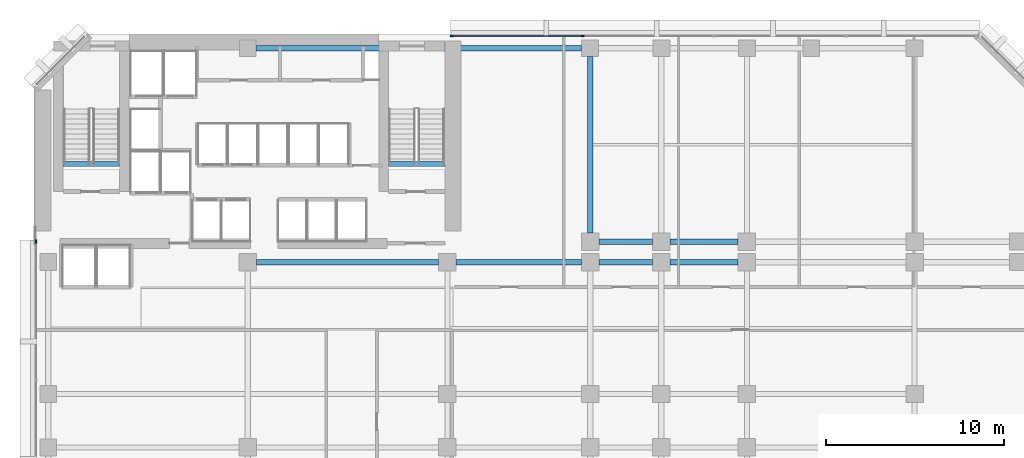
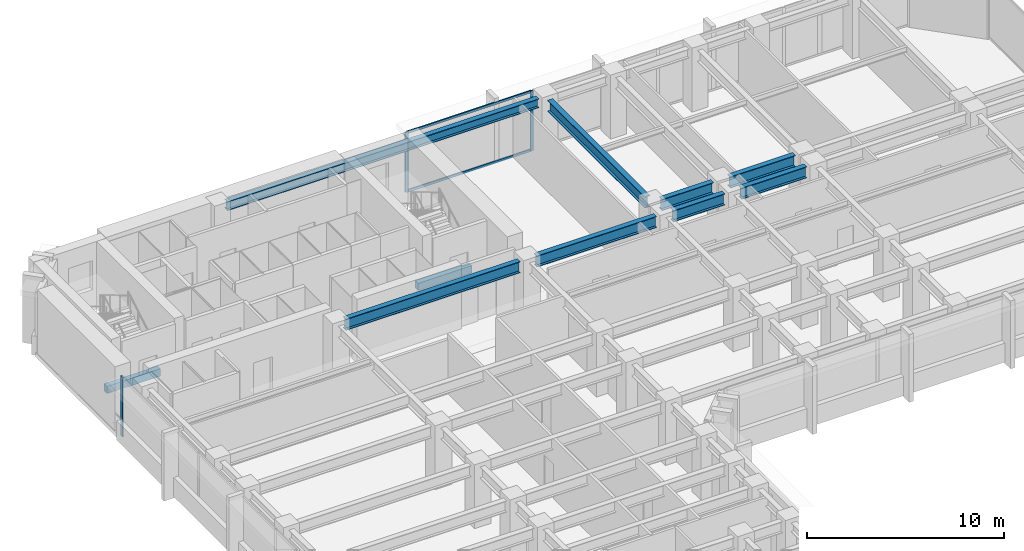
# One storey, part 4 of 13: 10 beams, 5 members, 2 elements without a shape of their own.
"""IFC4 building model written with IfcOpenShell, lengths in metres."""

import ifcopenshell
import ifcopenshell.guid

model = None  # the IFC model being written
_history = None  # IfcOwnerHistory: only IFC2X3 demands one
_inside = {}  # id of a spatial element -> (the spatial element, [elements in it])
_under = {}  # id of a project, library or spatial element -> (it, [spatial elements below it])
_declared = {}  # id of a project -> (the project, [libraries it declares])
_typed = {}  # id of a type object -> (the type object, [elements of that type])
_made_of = {}  # id of a material, layer set ... -> (it, [elements and type objects made of it])


def new_model(schema):
    """Start an empty IFC model of exactly this schema.

    Asked for "IFC4X3", IfcOpenShell would pick the latest addendum, in which some entities
    have other attributes; the version numbers below select the first issue.
    IFC2X3 requires an IfcOwnerHistory on every rooted entity: one is made here for all.
    """
    global model, _history
    if schema == "IFC4X3":
        model = ifcopenshell.file(schema_version=(4, 3, 0, 0))
    else:
        model = ifcopenshell.file(schema=schema)
    _inside.clear()
    _under.clear()
    _declared.clear()
    _typed.clear()
    _made_of.clear()
    _history = None
    if model.schema == "IFC2X3":
        org = make("IfcOrganization", Name="unknown")
        user = make(
            "IfcPersonAndOrganization",
            ThePerson=make("IfcPerson", FamilyName="unknown"),
            TheOrganization=org,
        )
        app = make(
            "IfcApplication",
            ApplicationDeveloper=org,
            Version="unknown",
            ApplicationFullName="unknown",
            ApplicationIdentifier="unknown",
        )
        _history = make(
            "IfcOwnerHistory",
            OwningUser=user,
            OwningApplication=app,
            ChangeAction="ADDED",
            CreationDate=0,
        )
    return model


def make(cls, **values):
    """One entity of the class cls with the attributes given. An attribute that is None is left unset."""
    return model.create_entity(
        cls, **{name: value for name, value in values.items() if value is not None}
    )


def rooted(cls, **values):
    """An entity with a GlobalId (a new one), such as an element, a storey or a relation."""
    return make(cls, GlobalId=ifcopenshell.guid.new(), OwnerHistory=_history, **values)


def si_unit(unit_type, name, prefix=None):
    """IfcSIUnit, for example si_unit("LENGTHUNIT", "METRE", prefix="MILLI")."""
    return make("IfcSIUnit", UnitType=unit_type, Prefix=prefix, Name=name)


def assignment(units):
    """IfcUnitAssignment: the units of a project."""
    return None if units is None else make("IfcUnitAssignment", Units=units)


def point(xyz):
    """IfcCartesianPoint."""
    return None if xyz is None else make("IfcCartesianPoint", Coordinates=xyz)


def direction(xyz):
    """IfcDirection."""
    return None if xyz is None else make("IfcDirection", DirectionRatios=xyz)


def frame(location, z_axis=None, x_axis=None):
    """IfcAxis2Placement3D, a coordinate frame: its origin and axes. An axis left out is left unset."""
    return make(
        "IfcAxis2Placement3D",
        Location=point(location),
        Axis=direction(z_axis),
        RefDirection=direction(x_axis),
    )


def frame_2d(location, x_axis=None):
    """IfcAxis2Placement2D, a coordinate frame in the plane: its origin and x axis."""
    return make(
        "IfcAxis2Placement2D", Location=point(location), RefDirection=direction(x_axis)
    )


def origin():
    """The frame at (0, 0, 0) with its axes left unset."""
    return frame((0.0, 0.0, 0.0))


def origin_2d():
    """The frame at (0, 0) in the plane with its x axis left unset."""
    return frame_2d((0.0, 0.0))


def place(relative_to, where):
    """IfcLocalPlacement: puts the frame where relative to a parent placement (None: the world)."""
    return make(
        "IfcLocalPlacement", PlacementRelTo=relative_to, RelativePlacement=where
    )


def context(
    kind, dimensions, precision=None, world=None, true_north=None, identifier=None
):
    """IfcGeometricRepresentationContext, for example the 3D "Model" context."""
    return make(
        "IfcGeometricRepresentationContext",
        ContextIdentifier=identifier,
        ContextType=kind,
        CoordinateSpaceDimension=dimensions,
        Precision=precision,
        WorldCoordinateSystem=world,
        TrueNorth=true_north,
    )


def subcontext(parent, identifier, kind, view, scale=None):
    """IfcGeometricRepresentationSubContext, for example "Body" below "Model"."""
    return make(
        "IfcGeometricRepresentationSubContext",
        ContextIdentifier=identifier,
        ContextType=kind,
        ParentContext=parent,
        TargetScale=scale,
        TargetView=view,
    )


def project(units=None, contexts=None):
    """IfcProject with its units and contexts."""
    return rooted(
        "IfcProject",
        Name="project",
        RepresentationContexts=contexts,
        UnitsInContext=assignment(units),
    )


def spatial(cls, under=None, at=None, **own):
    """A site, building, storey or space (cls), placed at a placement, below another one or the project."""
    s = rooted(cls, ObjectPlacement=at, **own)
    if under is not None:
        _under.setdefault(under.id(), (under, []))[1].append(s)
    return s


def profile(cls, at=None, kind="AREA", **sizes):
    """A parametric profile (cls). Its sizes go by their IFC names, for example OverallWidth=200.0."""
    return make(cls, ProfileType=kind, Position=at, **sizes)


def rectangle(**sizes):
    """IfcRectangleProfileDef."""
    return profile("IfcRectangleProfileDef", **sizes)


def i_section(**sizes):
    """IfcIShapeProfileDef."""
    return profile("IfcIShapeProfileDef", **sizes)


def extrude(swept, where, along, depth):
    """IfcExtrudedAreaSolid: the profile swept, set in the frame where, extruded along a direction by depth."""
    return make(
        "IfcExtrudedAreaSolid",
        SweptArea=swept,
        Position=where,
        ExtrudedDirection=direction(along),
        Depth=depth,
    )


def shape(context_of_items, identifier, shape_type, items):
    """IfcShapeRepresentation: the items that make up one representation, for example the "Body"."""
    return make(
        "IfcShapeRepresentation",
        ContextOfItems=context_of_items,
        RepresentationIdentifier=identifier,
        RepresentationType=shape_type,
        Items=items,
    )


def material(Name=None, Category=None):
    """IfcMaterial."""
    return make("IfcMaterial", Name=Name, Category=Category)


def layer(
    of_material, thickness, ventilated=None, Name=None, Category=None, Priority=None
):
    """IfcMaterialLayer: one layer of a wall or slab, of a material (None: an air gap)."""
    return make(
        "IfcMaterialLayer",
        Material=of_material,
        LayerThickness=thickness,
        IsVentilated=ventilated,
        Name=Name,
        Category=Category,
        Priority=Priority,
    )


def layer_set(layers, Name=None):
    """IfcMaterialLayerSet."""
    return make("IfcMaterialLayerSet", MaterialLayers=layers, LayerSetName=Name)


def material_profile(
    of_material, cross_section, Name=None, Category=None, Priority=None
):
    """IfcMaterialProfile: a cross section and its material."""
    return make(
        "IfcMaterialProfile",
        Name=Name,
        Material=of_material,
        Profile=cross_section,
        Priority=Priority,
        Category=Category,
    )


def profile_set(profiles, Name=None, composite=None):
    """IfcMaterialProfileSet."""
    return make(
        "IfcMaterialProfileSet",
        Name=Name,
        MaterialProfiles=profiles,
        CompositeProfile=composite,
    )


def made_of(thing, what):
    """Note that an element or type object is made of a material, layer set ...; save() writes the relation."""
    if what is not None:
        _made_of.setdefault(what.id(), (what, []))[1].append(thing)
    return thing


def type_object(cls, material=None, **own):
    """A type object (cls), such as IfcWallType, which elements share."""
    return made_of(rooted(cls, **own), material)


def element(
    cls,
    number,
    at=None,
    inside=None,
    cuts=None,
    type_object=None,
    material=None,
    context=None,
    identifier="Body",
    shape_type=None,
    held_by="IfcProductDefinitionShape",
    body=None,
    shapes=None,
    **own,
):
    """One element of the class cls, such as IfcWall. Its Tag is "e" and its number.

    at: its placement. inside: the storey or other place that contains it. cuts: it is an
    opening in that element (IfcRelVoidsElement). A single representation is given by context,
    identifier, shape_type and body (its items); several are given by shapes. held_by: the class
    of the entity that holds the representations. save() writes the other relations.
    """
    e = rooted(cls, Tag="e%d" % number, ObjectPlacement=at, **own)
    if body is not None:
        shapes = [shape(context, identifier, shape_type, body)]
    if shapes is not None:
        e.Representation = make(held_by, Representations=shapes)
    if inside is not None:
        _inside.setdefault(inside.id(), (inside, []))[1].append(e)
    if cuts is not None:
        rooted(
            "IfcRelVoidsElement", RelatingBuildingElement=cuts, RelatedOpeningElement=e
        )
    if type_object is not None:
        _typed.setdefault(type_object.id(), (type_object, []))[1].append(e)
    return made_of(e, material)


def aggregate(whole, parts):
    """IfcRelAggregates: a whole, such as a stair, and the parts it consists of."""
    return rooted("IfcRelAggregates", RelatingObject=whole, RelatedObjects=parts)


def save(model, path):
    """Write the relations noted so far, then the file.

    IfcRelAggregates (storeys below a building ...), IfcRelContainedInSpatialStructure (elements
    in a storey), IfcRelDefinesByType, IfcRelAssociatesMaterial and IfcRelDeclares: one each for
    every whole, place, type object, material and project.
    """
    for whole, parts in _under.values():
        aggregate(whole, parts)
    for where, things in _inside.values():
        rooted(
            "IfcRelContainedInSpatialStructure",
            RelatedElements=things,
            RelatingStructure=where,
        )
    for kind, things in _typed.values():
        rooted("IfcRelDefinesByType", RelatedObjects=things, RelatingType=kind)
    for what, things in _made_of.values():
        rooted("IfcRelAssociatesMaterial", RelatedObjects=things, RelatingMaterial=what)
    for by, libraries in _declared.values():
        rooted("IfcRelDeclares", RelatingContext=by, RelatedDefinitions=libraries)
    model.write(path)


model = new_model("IFC4")

# Units and contexts
model_context = context("Model", 3, precision=1e-05, world=origin(), true_north=direction((0.0, 1.0)))
body_context = subcontext(model_context, "Body", "Model", "MODEL_VIEW")
ifc_project = project(units=[si_unit("LENGTHUNIT", "METRE"), si_unit("AREAUNIT", "SQUARE_METRE"), si_unit("VOLUMEUNIT", "CUBIC_METRE"), si_unit("PLANEANGLEUNIT", "RADIAN"), si_unit("MASSUNIT", "GRAM", prefix="KILO")], contexts=[model_context])

# Site, building, storey
site_placement = place(None, origin())
site = spatial("IfcSite", under=ifc_project, at=site_placement, CompositionType="ELEMENT")
building_placement = place(site_placement, origin())
building = spatial("IfcBuilding", under=site, at=building_placement, Name="Kefirva Bronze Tower", CompositionType="ELEMENT")
storey_placement = place(building_placement, frame((0.0, 0.0, 69.9599609375)))
storey = spatial("IfcBuildingStorey", under=building, at=storey_placement, Name="L16", CompositionType="ELEMENT", Elevation=69.9599609375)

# Curtain wall, members
ifc_material_1 = material(Name="Bronze anodised aluminium", Category="aluminium")
ifc_layer = layer(ifc_material_1, 0.199951171875, Name="Bronze anodised aluminium")
ifc_layer_set = layer_set([ifc_layer], Name="Bronze anodised aluminium")
curtain_wall_type = type_object("IfcCurtainWallType", Name="Unitised Bronze Ribbon Curtain Wall Zone 1", PredefinedType="USERDEFINED", material=ifc_layer_set)
curtain_wall_1_placement = place(storey_placement, origin())
curtain_wall_1 = element("IfcCurtainWall", 1, at=curtain_wall_1_placement, inside=storey, type_object=curtain_wall_type, Name="L16 Curtain Wall 4", ObjectType="UNITISED CURTAIN WALL", PredefinedType="USERDEFINED")
ifc_material_profile_1 = material_profile(ifc_material_1, rectangle(XDim=0.074951171875, YDim=0.179931640625, at=origin_2d()), Name="ALU 75x180")
ifc_profile_set_1 = profile_set([ifc_material_profile_1], Name="Bronze anodised aluminium")
member_type_1 = type_object("IfcMemberType", Name="Bronze Mullion 75x180", PredefinedType="MULLION", material=ifc_profile_set_1)
member_1_placement = place(storey_placement, frame((30.7900390625, 45.8798828125, 0.0), z_axis=(0.0, 0.0, 1.0), x_axis=(0.0, -1.0, 0.0)))
member_1 = element("IfcMember", 2, at=member_1_placement, type_object=member_type_1, Name="CW-01 mullion 4", PredefinedType="MULLION", context=body_context, shape_type="SweptSolid", body=[
    extrude(rectangle(XDim=0.074951171875, YDim=0.179931640625, at=origin_2d()), origin(), (0.0, 0.0, 1.0), 3.7099609375),
])
member_2_placement = place(storey_placement, frame((23.4423828125, 45.8798828125, 0.0), z_axis=(0.0, 0.0, 1.0), x_axis=(0.0, -1.0, 0.0)))
member_2 = element("IfcMember", 3, at=member_2_placement, type_object=member_type_1, Name="CW-01 mullion 5", PredefinedType="MULLION", context=body_context, shape_type="SweptSolid", body=[
    extrude(rectangle(XDim=0.074951171875, YDim=0.179931640625, at=origin_2d()), origin(), (0.0, 0.0, 1.0), 3.7099609375),
])

# Curtain wall, member
curtain_wall_2_placement = place(storey_placement, origin())
curtain_wall_2 = element("IfcCurtainWall", 4, at=curtain_wall_2_placement, inside=storey, type_object=curtain_wall_type, Name="L16 Curtain Wall 5", ObjectType="UNITISED CURTAIN WALL", PredefinedType="USERDEFINED")
member_3_placement = place(storey_placement, frame((0.1201171875, 34.357421875, 0.0), z_axis=(0.0, 0.0, 1.0), x_axis=(1.0, 0.0, 0.0)))
member_3 = element("IfcMember", 5, at=member_3_placement, type_object=member_type_1, Name="CW-01 mullion 1", PredefinedType="MULLION", context=body_context, shape_type="SweptSolid", body=[
    extrude(rectangle(XDim=0.074951171875, YDim=0.179931640625, at=origin_2d()), origin(), (0.0, 0.0, 1.0), 3.7099609375),
])
aggregate(curtain_wall_2, [member_3])

# Member
ifc_material_profile_2 = material_profile(ifc_material_1, rectangle(XDim=0.074951171875, YDim=0.14990234375, at=origin_2d()), Name="ALU 75x150")
ifc_profile_set_2 = profile_set([ifc_material_profile_2], Name="Bronze anodised aluminium")
member_type_2 = type_object("IfcMemberType", Name="Bronze Transom 75x150", PredefinedType="USERDEFINED", material=ifc_profile_set_2)
member_4_placement = place(storey_placement, frame((30.75244140625, 45.8798828125, 0.03759765625), z_axis=(-1.0, 0.0, 0.0), x_axis=(0.0, -1.0, 0.0)))
member_4 = element("IfcMember", 6, at=member_4_placement, type_object=member_type_2, Name="CW-01 transom 4.1", ObjectType="TRANSOM", PredefinedType="USERDEFINED", context=body_context, shape_type="SweptSolid", body=[
    extrude(rectangle(XDim=0.074951171875, YDim=0.14990234375, at=origin_2d()), origin(), (0.0, 0.0, 1.0), 7.2724609375),
])

member_5_placement = place(storey_placement, frame((30.75244140625, 45.8798828125, 3.672607421875), z_axis=(-1.0, 0.0, 0.0), x_axis=(0.0, -1.0, 0.0)))
member_5 = element("IfcMember", 7, at=member_5_placement, type_object=member_type_2, Name="CW-01 transom 4.2", ObjectType="TRANSOM", PredefinedType="USERDEFINED", context=body_context, shape_type="SweptSolid", body=[
    extrude(rectangle(XDim=0.074951171875, YDim=0.14990234375, at=origin_2d()), origin(), (0.0, 0.0, 1.0), 7.2724609375),
])

aggregate(curtain_wall_1, [member_1, member_2, member_4, member_5])

# Beams
ifc_material_2 = material(Name="Concrete C50/60", Category="concrete")
ifc_material_profile_3 = material_profile(ifc_material_2, rectangle(XDim=0.300048828125, YDim=0.449951171875, at=origin_2d()), Name="RC 300x450")
ifc_profile_set_3 = profile_set([ifc_material_profile_3], Name="Concrete C50/60")
beam_type_1 = type_object("IfcBeamType", Name="RC Stair Trimmer Beam 300x450", PredefinedType="BEAM", material=ifc_profile_set_3)
beam_1_placement = place(storey_placement, frame((1.64501953125, 38.699951171875, -0.224853515625), z_axis=(1.0, 0.0, 0.0), x_axis=(0.0, 1.0, 0.0)))
element("IfcBeam", 8, at=beam_1_placement, inside=storey, type_object=beam_type_1, Name="L16 Stair 1 Landing Trimmer Beam", PredefinedType="BEAM", context=body_context, shape_type="SweptSolid", body=[
    extrude(rectangle(XDim=0.300048828125, YDim=0.449951171875, at=origin_2d()), origin(), (0.0, 0.0, 1.0), 3.14990234375),
])
beam_2_placement = place(storey_placement, frame((19.89501953125, 38.699951171875, -0.224853515625), z_axis=(1.0, 0.0, 0.0), x_axis=(0.0, 1.0, 0.0)))
element("IfcBeam", 9, at=beam_2_placement, inside=storey, type_object=beam_type_1, Name="L16 Stair 2 Landing Trimmer Beam", PredefinedType="BEAM", context=body_context, shape_type="SweptSolid", body=[
    extrude(rectangle(XDim=0.300048828125, YDim=0.449951171875, at=origin_2d()), origin(), (0.0, 0.0, 1.0), 3.159912109375),
])
ifc_material_3 = material(Name="Steel S355", Category="steel")
ifc_material_profile_4 = material_profile(ifc_material_3, i_section(OverallWidth=0.300048828125, OverallDepth=0.699951171875, WebThickness=0.01708984375, FlangeThickness=0.031982421875, at=origin_2d()), Name="HEB 700")
ifc_profile_set_4 = profile_set([ifc_material_profile_4], Name="Steel S355")
beam_type_2 = type_object("IfcBeamType", Name="Steel Girder HEB 700", PredefinedType="USERDEFINED", material=ifc_profile_set_4)
beam_3_placement = place(storey_placement, frame((12.489990234375, 33.199951171875, 3.360107421875), z_axis=(1.0, 0.0, 0.0), x_axis=(0.0, 1.0, 0.0)))
element("IfcBeam", 10, at=beam_3_placement, inside=storey, type_object=beam_type_2, Name="L16 BM-L16-EW-12-332", ObjectType="GIRDER", PredefinedType="USERDEFINED", context=body_context, shape_type="SweptSolid", body=[
    extrude(i_section(OverallWidth=0.300048828125, OverallDepth=0.699951171875, WebThickness=0.01708984375, FlangeThickness=0.031982421875, at=origin_2d()), origin(), (0.0, 0.0, 1.0), 10.219970703125),
])
beam_4_placement = place(storey_placement, frame((23.68994140625, 33.199951171875, 3.360107421875), z_axis=(1.0, 0.0, 0.0), x_axis=(0.0, 1.0, 0.0)))
element("IfcBeam", 11, at=beam_4_placement, inside=storey, type_object=beam_type_2, Name="L16 BM-L16-EW-23-332", ObjectType="GIRDER", PredefinedType="USERDEFINED", context=body_context, shape_type="SweptSolid", body=[
    extrude(i_section(OverallWidth=0.300048828125, OverallDepth=0.699951171875, WebThickness=0.01708984375, FlangeThickness=0.031982421875, at=origin_2d()), origin(), (0.0, 0.0, 1.0), 7.02001953125),
])
beam_5_placement = place(storey_placement, frame((31.68994140625, 33.199951171875, 3.360107421875), z_axis=(1.0, 0.0, 0.0), x_axis=(0.0, 1.0, 0.0)))
element("IfcBeam", 12, at=beam_5_placement, inside=storey, type_object=beam_type_2, Name="L16 BM-L16-EW-31-332", ObjectType="GIRDER", PredefinedType="USERDEFINED", context=body_context, shape_type="SweptSolid", body=[
    extrude(i_section(OverallWidth=0.300048828125, OverallDepth=0.699951171875, WebThickness=0.01708984375, FlangeThickness=0.031982421875, at=origin_2d()), origin(), (0.0, 0.0, 1.0), 3.02001953125),
])
beam_6_placement = place(storey_placement, frame((35.68994140625, 33.199951171875, 3.360107421875), z_axis=(1.0, 0.0, 0.0), x_axis=(0.0, 1.0, 0.0)))
element("IfcBeam", 13, at=beam_6_placement, inside=storey, type_object=beam_type_2, Name="L16 BM-L16-EW-35-332", ObjectType="GIRDER", PredefinedType="USERDEFINED", context=body_context, shape_type="SweptSolid", body=[
    extrude(i_section(OverallWidth=0.300048828125, OverallDepth=0.699951171875, WebThickness=0.01708984375, FlangeThickness=0.031982421875, at=origin_2d()), origin(), (0.0, 0.0, 1.0), 3.820068359375),
])
beam_7_placement = place(storey_placement, frame((31.68994140625, 34.35009765625, 3.360107421875), z_axis=(1.0, 0.0, 0.0), x_axis=(0.0, 1.0, 0.0)))
element("IfcBeam", 14, at=beam_7_placement, inside=storey, type_object=beam_type_2, Name="L16 BM-L16-EW-31-344", ObjectType="GIRDER", PredefinedType="USERDEFINED", context=body_context, shape_type="SweptSolid", body=[
    extrude(i_section(OverallWidth=0.300048828125, OverallDepth=0.699951171875, WebThickness=0.01708984375, FlangeThickness=0.031982421875, at=origin_2d()), origin(), (0.0, 0.0, 1.0), 3.02001953125),
])
beam_8_placement = place(storey_placement, frame((35.68994140625, 34.35009765625, 3.360107421875), z_axis=(1.0, 0.0, 0.0), x_axis=(0.0, 1.0, 0.0)))
element("IfcBeam", 15, at=beam_8_placement, inside=storey, type_object=beam_type_2, Name="L16 BM-L16-EW-35-344", ObjectType="GIRDER", PredefinedType="USERDEFINED", context=body_context, shape_type="SweptSolid", body=[
    extrude(i_section(OverallWidth=0.300048828125, OverallDepth=0.699951171875, WebThickness=0.01708984375, FlangeThickness=0.031982421875, at=origin_2d()), origin(), (0.0, 0.0, 1.0), 3.820068359375),
])
beam_9_placement = place(storey_placement, frame((31.199951171875, 34.840087890625, 3.360107421875), z_axis=(0.0, 1.0, 0.0), x_axis=(-1.0, 0.0, 0.0)))
element("IfcBeam", 16, at=beam_9_placement, inside=storey, type_object=beam_type_2, Name="L16 BM-L16-NS-312-34", ObjectType="GIRDER", PredefinedType="USERDEFINED", context=body_context, shape_type="SweptSolid", body=[
    extrude(i_section(OverallWidth=0.300048828125, OverallDepth=0.699951171875, WebThickness=0.01708984375, FlangeThickness=0.031982421875, at=origin_2d()), origin(), (0.0, 0.0, 1.0), 9.889892578125),
])
ifc_material_profile_5 = material_profile(ifc_material_3, i_section(OverallWidth=0.300048828125, OverallDepth=0.550048828125, WebThickness=0.014892578125, FlangeThickness=0.029052734375, at=origin_2d()), Name="HEB 550")
ifc_profile_set_5 = profile_set([ifc_material_profile_5], Name="Steel S355")
beam_type_3 = type_object("IfcBeamType", Name="Steel Spandrel HEB 550 Ext", PredefinedType="SPANDREL", material=ifc_profile_set_5)
beam_10_placement = place(storey_placement, frame((12.469970703125, 45.199951171875, 3.43505859375), z_axis=(1.0, 0.0, 0.0), x_axis=(0.0, 1.0, 0.0)))
element("IfcBeam", 17, at=beam_10_placement, inside=storey, type_object=beam_type_3, Name="L16 BM-L16-EW-12-452", PredefinedType="SPANDREL", context=body_context, shape_type="SweptSolid", body=[
    extrude(i_section(OverallWidth=0.300048828125, OverallDepth=0.550048828125, WebThickness=0.014892578125, FlangeThickness=0.029052734375, at=origin_2d()), origin(), (0.0, 0.0, 1.0), 18.260009765625),
])

save(model, "model.ifc")
